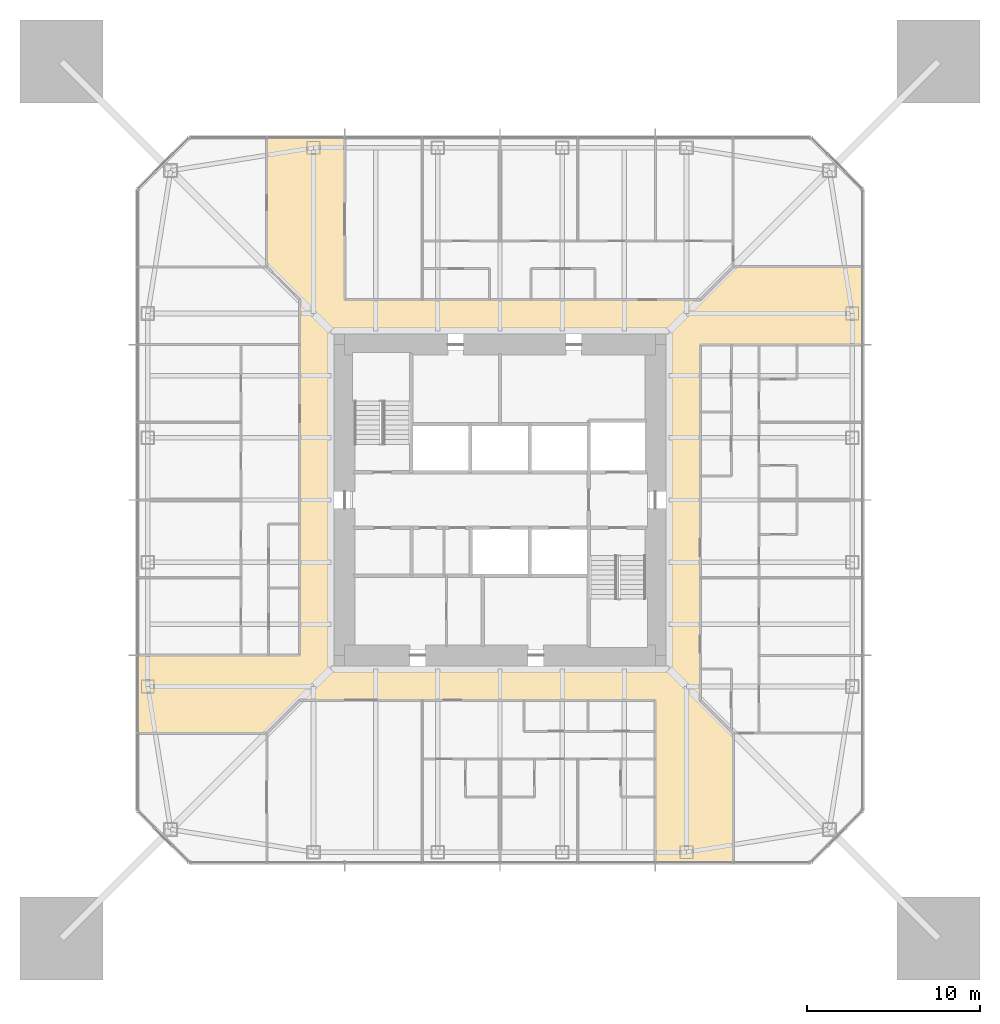
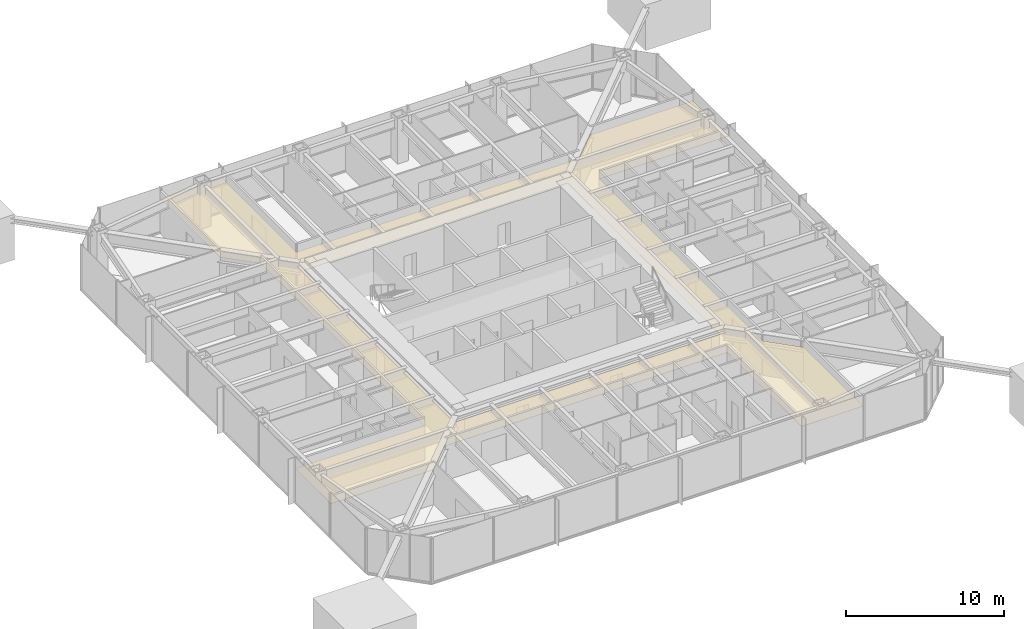
# One storey, part 12 of 14: 1 covering.
"""IFC4 building model written with IfcOpenShell, lengths in metres."""

from ifc_helpers import new_model, si_unit, direction, frame, origin, place, context, subcontext, project, spatial, polyline, outline, extrude, material, layer, layer_set, type_object, element, save


model = new_model("IFC4")

# Units and contexts
model_context = context("Model", 3, precision=1e-05, world=origin(), true_north=direction((0.0, 1.0)))
body_context = subcontext(model_context, "Body", "Model", "MODEL_VIEW")
ifc_project = project(units=[si_unit("LENGTHUNIT", "METRE"), si_unit("AREAUNIT", "SQUARE_METRE"), si_unit("VOLUMEUNIT", "CUBIC_METRE"), si_unit("PLANEANGLEUNIT", "RADIAN"), si_unit("MASSUNIT", "GRAM", prefix="KILO")], contexts=[model_context])

# Site, building, storey
site_placement = place(None, origin())
site = spatial("IfcSite", under=ifc_project, at=site_placement, CompositionType="ELEMENT")
building_placement = place(site_placement, origin())
building = spatial("IfcBuilding", under=site, at=building_placement, Name="Iwan Alto Co-Living Towers", CompositionType="ELEMENT")
storey_placement = place(building_placement, frame((0.0, 0.0, 136.5)))
storey = spatial("IfcBuildingStorey", under=building, at=storey_placement, Name="L37", CompositionType="ELEMENT", Elevation=136.5)

# Covering
ifc_material = material(Name="Gypsum plasterboard on steel grid", Category="steel")
ifc_layer = layer(ifc_material, 0.014892578125)
ifc_layer_set = layer_set([ifc_layer], Name="SUSPENDED PLASTERBOARD CEILING 15")
covering_type = type_object("IfcCoveringType", Name="SUSPENDED PLASTERBOARD CEILING 15", PredefinedType="CEILING", material=ifc_layer_set)
covering_placement = place(storey_placement, frame((0.0, 0.0, 2.60009765625)))
element("IfcCovering", 1, at=covering_placement, inside=storey, type_object=covering_type, Name="Ceiling Corridor L37", PredefinedType="CEILING", context=body_context, shape_type="SweptSolid", body=[
    extrude(outline(polyline([(13.5, -21.0), (9.0, -21.0), (9.0, -11.60009765625), (-11.60009765625, -11.60009765625), (-13.5, -13.5), (-21.0, -13.5), (-21.0, -9.0), (-11.60009765625, -9.0), (-11.60009765625, 11.60009765625), (-13.5, 13.5), (-13.5, 21.0), (-9.0, 21.0), (-9.0, 11.60009765625), (11.60009765625, 11.60009765625), (13.5, 13.5), (21.0, 13.5), (21.0, 9.0), (11.60009765625, 9.0), (11.60009765625, -11.60009765625), (13.5, -13.5), (13.5, -21.0)]), holes=[polyline([(9.60009765625, -9.60009765625), (9.60009765625, 9.60009765625), (-9.60009765625, 9.60009765625), (-9.60009765625, -9.60009765625), (9.60009765625, -9.60009765625)])]), origin(), (0.0, 0.0, 1.0), 0.014892578125),
])

save(model, "model.ifc")
